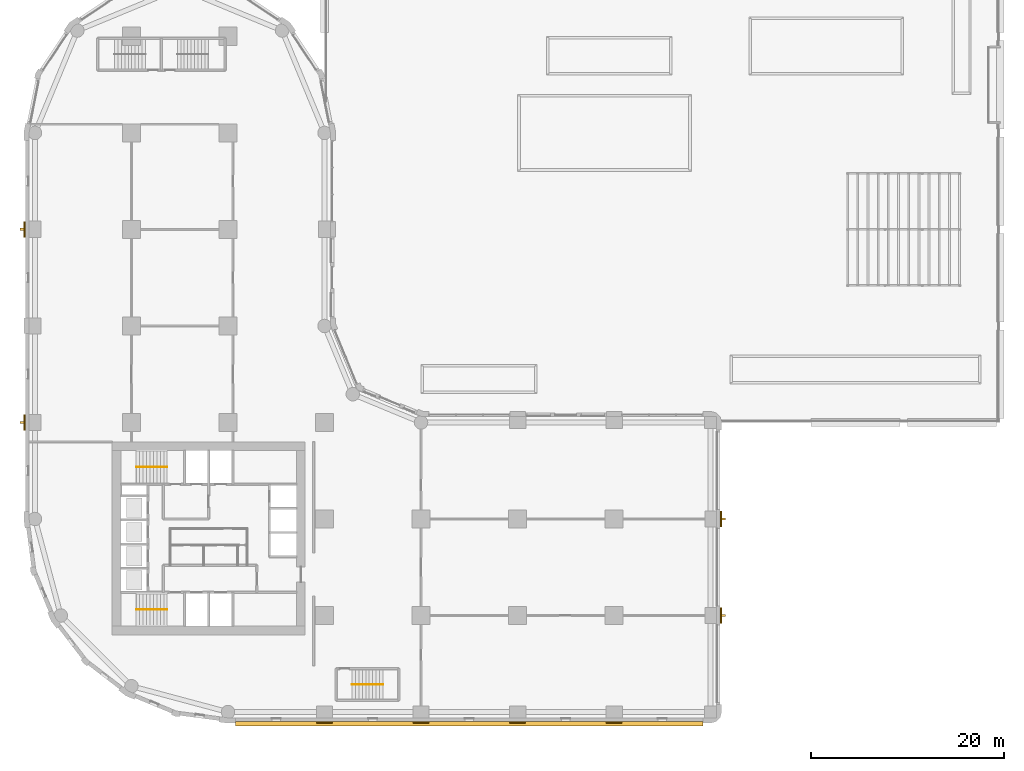
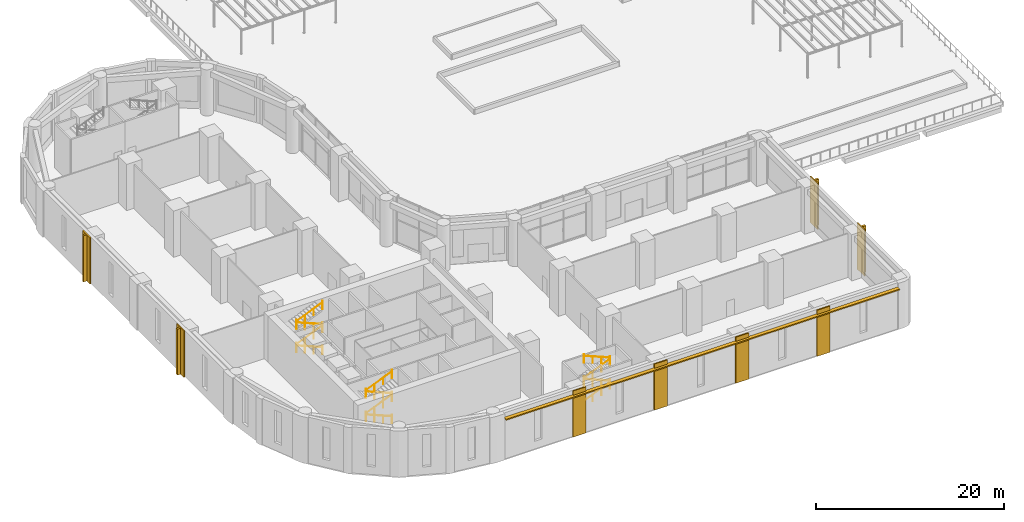
# One storey, part 26 of 28: 12 railings, 8 coverings, 5 shading devices.
"""IFC4 building model written with IfcOpenShell, lengths in metres."""

from ifc_helpers import new_model, si_unit, direction, frame, origin, origin_2d, place, context, subcontext, project, spatial, polyline, rectangle, circle, outline, extrude, material, layer, layer_set, type_object, element, save


model = new_model("IFC4")

# Units and contexts
model_context = context("Model", 3, precision=1e-05, world=origin(), true_north=direction((0.0, 1.0)))
body_context = subcontext(model_context, "Body", "Model", "MODEL_VIEW")
ifc_project = project(units=[si_unit("LENGTHUNIT", "METRE"), si_unit("AREAUNIT", "SQUARE_METRE"), si_unit("VOLUMEUNIT", "CUBIC_METRE"), si_unit("PLANEANGLEUNIT", "RADIAN"), si_unit("MASSUNIT", "GRAM", prefix="KILO")], contexts=[model_context])

# Site, building, storey
site_placement = place(None, origin())
site = spatial("IfcSite", under=ifc_project, at=site_placement, CompositionType="ELEMENT")
building_placement = place(site_placement, origin())
building = spatial("IfcBuilding", under=site, at=building_placement, Name="Qaws Garden Tower", CompositionType="ELEMENT")
storey_placement = place(building_placement, frame((0.0, 0.0, 6.0)))
storey = spatial("IfcBuildingStorey", under=building, at=storey_placement, Name="L01", CompositionType="ELEMENT", Elevation=6.0)

# Shading devices
ifc_material_1 = material(Name="Clay facing brick masonry", Category="masonry")
ifc_layer_1 = layer(ifc_material_1, 0.14990234375)
ifc_layer_set_1 = layer_set([ifc_layer_1], Name="Clay facing brick masonry")
shading_device_type_1 = type_object("IfcShadingDeviceType", Name="Brick sunshade band 450 x 150", PredefinedType="JALOUSIE", material=ifc_layer_set_1)
shading_device_placement = place(storey_placement, frame((0.0, 0.0, 5.300048828125)))
element("IfcShadingDevice", 1, at=shading_device_placement, inside=storey, type_object=shading_device_type_1, Name="SUNSHADE 00", PredefinedType="JALOUSIE", context=body_context, shape_type="SweptSolid", body=[
    extrude(outline(polyline([(20.800048828125, -1.0), (20.800048828125, -1.449951171875), (69.199951171875, -1.449951171875), (69.199951171875, -1.0), (60.800048828125, -1.0), (60.800048828125, -1.14990234375), (59.199951171875, -1.14990234375), (59.199951171875, -1.0), (50.800048828125, -1.0), (50.800048828125, -1.14990234375), (49.199951171875, -1.14990234375), (49.199951171875, -1.0), (40.800048828125, -1.0), (40.800048828125, -1.14990234375), (39.199951171875, -1.14990234375), (39.199951171875, -1.0), (30.800048828125, -1.0), (30.800048828125, -1.14990234375), (29.199951171875, -1.14990234375), (29.199951171875, -1.0), (20.800048828125, -1.0)])), origin(), (0.0, 0.0, 1.0), 0.14990234375),
])
ifc_material_2 = material(Name="Clay facing brick masonry", Category="masonry")
ifc_layer_2 = layer(ifc_material_2, 0.25)
ifc_layer_set_2 = layer_set([ifc_layer_2], Name="Clay facing brick masonry")
shading_device_type_2 = type_object("IfcShadingDeviceType", Name="Brick-faced fin 250 x 400", PredefinedType="USERDEFINED", material=ifc_layer_set_2)
for number, where, z_axis, x_axis, name in (
    (2, (71.35009765625, 10.0, 0.0), (0.0, 0.0, 1.0), (0.0, 1.0, 0.0), "FIN 06"),
    (3, (71.35009765625, 20.0, 0.0), (0.0, 0.0, 1.0), (0.0, 1.0, 0.0), "FIN 07"),
    (4, (-1.35009765625, 50.0, 0.0), (0.0, 0.0, 1.0), (0.0, -1.0, 0.0), "FIN 24"),
    (5, (-1.35009765625, 30.0, 0.0), (0.0, 0.0, 1.0), (0.0, -1.0, 0.0), "FIN 26"),
):
    element("IfcShadingDevice", number, at=place(storey_placement, frame(where, z_axis=z_axis, x_axis=x_axis)), inside=storey, type_object=shading_device_type_2, Name=name, ObjectType="FIN", PredefinedType="USERDEFINED", context=body_context, shape_type="SweptSolid", body=[
        extrude(rectangle(XDim=0.25, YDim=0.39990234375, at=origin_2d()), origin(), (0.0, 0.0, 1.0), 6.0),
    ])

# Railings
ifc_material_3 = material(Name="Steel S355", Category="steel")
railing_type = type_object("IfcRailingType", Name="Stair handrail 900", PredefinedType="HANDRAIL", material=ifc_material_3)
railing_1_placement = place(storey_placement, frame((13.699951171875, 10.60009765625, 0.14990234375)))
element("IfcRailing", 6, at=railing_1_placement, inside=storey, type_object=railing_type, Name="Stair 1 handrail", PredefinedType="HANDRAIL", context=body_context, shape_type="SweptSolid", body=[
    extrude(circle(Radius=0.02392578125, at=origin_2d()), frame((0.0, 0.0, 0.8759765625), z_axis=(-0.921521658771, 0.0, 0.388326965862), x_axis=(0.0, -1.0, 0.0)), (0.0, 0.0, 1.0), 3.476806640625),
    extrude(circle(Radius=0.02099609375, at=origin_2d()), origin(), (0.0, 0.0, 1.0), 1.050048828125),
    extrude(circle(Radius=0.02099609375, at=origin_2d()), frame((-1.06787109375, 0.0, 0.449951171875)), (0.0, 0.0, 1.0), 0.851806640625),
    extrude(circle(Radius=0.02099609375, at=origin_2d()), frame((-2.135986328125, 0.0, 0.900146484375)), (0.0, 0.0, 1.0), 0.851806640625),
    extrude(circle(Radius=0.02099609375, at=origin_2d()), frame((-3.203857421875, 0.0, 1.35009765625)), (0.0, 0.0, 1.0), 1.050048828125),
])
railing_2_placement = place(storey_placement, frame((10.49609375, 10.60009765625, 1.64990234375)))
element("IfcRailing", 7, at=railing_2_placement, inside=storey, type_object=railing_type, Name="Stair 1 handrail", PredefinedType="HANDRAIL", context=body_context, shape_type="SweptSolid", body=[
    extrude(circle(Radius=0.02392578125, at=origin_2d()), frame((0.0, 0.0, 0.8759765625), z_axis=(0.921521658771, 0.0, 0.388326965862), x_axis=(0.0, 1.0, 0.0)), (0.0, 0.0, 1.0), 3.476806640625),
    extrude(circle(Radius=0.02099609375, at=origin_2d()), origin(), (0.0, 0.0, 1.0), 1.050048828125),
    extrude(circle(Radius=0.02099609375, at=origin_2d()), frame((1.06787109375, 0.0, 0.449951171875)), (0.0, 0.0, 1.0), 0.851806640625),
    extrude(circle(Radius=0.02099609375, at=origin_2d()), frame((2.135986328125, 0.0, 0.900146484375)), (0.0, 0.0, 1.0), 0.851806640625),
    extrude(circle(Radius=0.02099609375, at=origin_2d()), frame((3.203857421875, 0.0, 1.35009765625)), (0.0, 0.0, 1.0), 1.050048828125),
])
railing_3_placement = place(storey_placement, frame((13.699951171875, 10.60009765625, 3.14990234375)))
element("IfcRailing", 8, at=railing_3_placement, inside=storey, type_object=railing_type, Name="Stair 1 handrail", PredefinedType="HANDRAIL", context=body_context, shape_type="SweptSolid", body=[
    extrude(circle(Radius=0.02392578125, at=origin_2d()), frame((0.0, 0.0, 0.8759765625), z_axis=(-0.921521658771, 0.0, 0.388326965862), x_axis=(0.0, -1.0, 0.0)), (0.0, 0.0, 1.0), 3.476806640625),
    extrude(circle(Radius=0.02099609375, at=origin_2d()), origin(), (0.0, 0.0, 1.0), 1.050048828125),
    extrude(circle(Radius=0.02099609375, at=origin_2d()), frame((-1.06787109375, 0.0, 0.449951171875)), (0.0, 0.0, 1.0), 0.851806640625),
    extrude(circle(Radius=0.02099609375, at=origin_2d()), frame((-2.135986328125, 0.0, 0.900146484375)), (0.0, 0.0, 1.0), 0.851806640625),
    extrude(circle(Radius=0.02099609375, at=origin_2d()), frame((-3.203857421875, 0.0, 1.35009765625)), (0.0, 0.0, 1.0), 1.050048828125),
])
railing_4_placement = place(storey_placement, frame((10.49609375, 10.60009765625, 4.64990234375)))
element("IfcRailing", 9, at=railing_4_placement, inside=storey, type_object=railing_type, Name="Stair 1 handrail", PredefinedType="HANDRAIL", context=body_context, shape_type="SweptSolid", body=[
    extrude(circle(Radius=0.02392578125, at=origin_2d()), frame((0.0, 0.0, 0.8759765625), z_axis=(0.921521658771, 0.0, 0.388326965862), x_axis=(0.0, 1.0, 0.0)), (0.0, 0.0, 1.0), 3.476806640625),
    extrude(circle(Radius=0.02099609375, at=origin_2d()), origin(), (0.0, 0.0, 1.0), 1.050048828125),
    extrude(circle(Radius=0.02099609375, at=origin_2d()), frame((1.06787109375, 0.0, 0.449951171875)), (0.0, 0.0, 1.0), 0.851806640625),
    extrude(circle(Radius=0.02099609375, at=origin_2d()), frame((2.135986328125, 0.0, 0.900146484375)), (0.0, 0.0, 1.0), 0.851806640625),
    extrude(circle(Radius=0.02099609375, at=origin_2d()), frame((3.203857421875, 0.0, 1.35009765625)), (0.0, 0.0, 1.0), 1.050048828125),
])
railing_5_placement = place(storey_placement, frame((13.699951171875, 25.39990234375, 0.14990234375)))
element("IfcRailing", 10, at=railing_5_placement, inside=storey, type_object=railing_type, Name="Stair 4 handrail", PredefinedType="HANDRAIL", context=body_context, shape_type="SweptSolid", body=[
    extrude(circle(Radius=0.02392578125, at=origin_2d()), frame((0.0, 0.0, 0.8759765625), z_axis=(-0.921521658771, 0.0, 0.388326965862), x_axis=(0.0, -1.0, 0.0)), (0.0, 0.0, 1.0), 3.476806640625),
    extrude(circle(Radius=0.02099609375, at=origin_2d()), origin(), (0.0, 0.0, 1.0), 1.050048828125),
    extrude(circle(Radius=0.02099609375, at=origin_2d()), frame((-1.06787109375, 0.0, 0.449951171875)), (0.0, 0.0, 1.0), 0.851806640625),
    extrude(circle(Radius=0.02099609375, at=origin_2d()), frame((-2.135986328125, 0.0, 0.900146484375)), (0.0, 0.0, 1.0), 0.851806640625),
    extrude(circle(Radius=0.02099609375, at=origin_2d()), frame((-3.203857421875, 0.0, 1.35009765625)), (0.0, 0.0, 1.0), 1.050048828125),
])
railing_6_placement = place(storey_placement, frame((10.49609375, 25.39990234375, 1.64990234375)))
element("IfcRailing", 11, at=railing_6_placement, inside=storey, type_object=railing_type, Name="Stair 4 handrail", PredefinedType="HANDRAIL", context=body_context, shape_type="SweptSolid", body=[
    extrude(circle(Radius=0.02392578125, at=origin_2d()), frame((0.0, 0.0, 0.8759765625), z_axis=(0.921521658771, 0.0, 0.388326965862), x_axis=(0.0, 1.0, 0.0)), (0.0, 0.0, 1.0), 3.476806640625),
    extrude(circle(Radius=0.02099609375, at=origin_2d()), origin(), (0.0, 0.0, 1.0), 1.050048828125),
    extrude(circle(Radius=0.02099609375, at=origin_2d()), frame((1.06787109375, 0.0, 0.449951171875)), (0.0, 0.0, 1.0), 0.851806640625),
    extrude(circle(Radius=0.02099609375, at=origin_2d()), frame((2.135986328125, 0.0, 0.900146484375)), (0.0, 0.0, 1.0), 0.851806640625),
    extrude(circle(Radius=0.02099609375, at=origin_2d()), frame((3.203857421875, 0.0, 1.35009765625)), (0.0, 0.0, 1.0), 1.050048828125),
])
railing_7_placement = place(storey_placement, frame((13.699951171875, 25.39990234375, 3.14990234375)))
element("IfcRailing", 12, at=railing_7_placement, inside=storey, type_object=railing_type, Name="Stair 4 handrail", PredefinedType="HANDRAIL", context=body_context, shape_type="SweptSolid", body=[
    extrude(circle(Radius=0.02392578125, at=origin_2d()), frame((0.0, 0.0, 0.8759765625), z_axis=(-0.921521658771, 0.0, 0.388326965862), x_axis=(0.0, -1.0, 0.0)), (0.0, 0.0, 1.0), 3.476806640625),
    extrude(circle(Radius=0.02099609375, at=origin_2d()), origin(), (0.0, 0.0, 1.0), 1.050048828125),
    extrude(circle(Radius=0.02099609375, at=origin_2d()), frame((-1.06787109375, 0.0, 0.449951171875)), (0.0, 0.0, 1.0), 0.851806640625),
    extrude(circle(Radius=0.02099609375, at=origin_2d()), frame((-2.135986328125, 0.0, 0.900146484375)), (0.0, 0.0, 1.0), 0.851806640625),
    extrude(circle(Radius=0.02099609375, at=origin_2d()), frame((-3.203857421875, 0.0, 1.35009765625)), (0.0, 0.0, 1.0), 1.050048828125),
])
for number, where, name in (
    (13, (10.49609375, 25.39990234375, 4.64990234375), "Stair 4 handrail"),
    (14, (32.85009765625, 2.85009765625, 0.14990234375), "Stair 5 handrail"),
):
    element("IfcRailing", number, at=place(storey_placement, frame(where)), inside=storey, type_object=railing_type, Name=name, PredefinedType="HANDRAIL", context=body_context, shape_type="SweptSolid", body=[
        extrude(circle(Radius=0.02392578125, at=origin_2d()), frame((0.0, 0.0, 0.8759765625), z_axis=(0.921521658771, 0.0, 0.388326965862), x_axis=(0.0, 1.0, 0.0)), (0.0, 0.0, 1.0), 3.476806640625),
        extrude(circle(Radius=0.02099609375, at=origin_2d()), origin(), (0.0, 0.0, 1.0), 1.050048828125),
        extrude(circle(Radius=0.02099609375, at=origin_2d()), frame((1.06787109375, 0.0, 0.449951171875)), (0.0, 0.0, 1.0), 0.851806640625),
        extrude(circle(Radius=0.02099609375, at=origin_2d()), frame((2.135986328125, 0.0, 0.900146484375)), (0.0, 0.0, 1.0), 0.851806640625),
        extrude(circle(Radius=0.02099609375, at=origin_2d()), frame((3.203857421875, 0.0, 1.35009765625)), (0.0, 0.0, 1.0), 1.050048828125),
    ])
railing_8_placement = place(storey_placement, frame((36.053955078125, 2.85009765625, 1.64990234375)))
element("IfcRailing", 15, at=railing_8_placement, inside=storey, type_object=railing_type, Name="Stair 5 handrail", PredefinedType="HANDRAIL", context=body_context, shape_type="SweptSolid", body=[
    extrude(circle(Radius=0.02392578125, at=origin_2d()), frame((0.0, 0.0, 0.8759765625), z_axis=(-0.921521658771, 0.0, 0.388326965862), x_axis=(0.0, -1.0, 0.0)), (0.0, 0.0, 1.0), 3.476806640625),
    extrude(circle(Radius=0.02099609375, at=origin_2d()), origin(), (0.0, 0.0, 1.0), 1.050048828125),
    extrude(circle(Radius=0.02099609375, at=origin_2d()), frame((-1.06787109375, 0.0, 0.449951171875)), (0.0, 0.0, 1.0), 0.851806640625),
    extrude(circle(Radius=0.02099609375, at=origin_2d()), frame((-2.135986328125, 0.0, 0.900146484375)), (0.0, 0.0, 1.0), 0.851806640625),
    extrude(circle(Radius=0.02099609375, at=origin_2d()), frame((-3.203857421875, 0.0, 1.35009765625)), (0.0, 0.0, 1.0), 1.050048828125),
])
railing_9_placement = place(storey_placement, frame((32.85009765625, 2.85009765625, 3.14990234375)))
element("IfcRailing", 16, at=railing_9_placement, inside=storey, type_object=railing_type, Name="Stair 5 handrail", PredefinedType="HANDRAIL", context=body_context, shape_type="SweptSolid", body=[
    extrude(circle(Radius=0.02392578125, at=origin_2d()), frame((0.0, 0.0, 0.8759765625), z_axis=(0.921521658771, 0.0, 0.388326965862), x_axis=(0.0, 1.0, 0.0)), (0.0, 0.0, 1.0), 3.476806640625),
    extrude(circle(Radius=0.02099609375, at=origin_2d()), origin(), (0.0, 0.0, 1.0), 1.050048828125),
    extrude(circle(Radius=0.02099609375, at=origin_2d()), frame((1.06787109375, 0.0, 0.449951171875)), (0.0, 0.0, 1.0), 0.851806640625),
    extrude(circle(Radius=0.02099609375, at=origin_2d()), frame((2.135986328125, 0.0, 0.900146484375)), (0.0, 0.0, 1.0), 0.851806640625),
    extrude(circle(Radius=0.02099609375, at=origin_2d()), frame((3.203857421875, 0.0, 1.35009765625)), (0.0, 0.0, 1.0), 1.050048828125),
])
railing_10_placement = place(storey_placement, frame((36.053955078125, 2.85009765625, 4.64990234375)))
element("IfcRailing", 17, at=railing_10_placement, inside=storey, type_object=railing_type, Name="Stair 5 handrail", PredefinedType="HANDRAIL", context=body_context, shape_type="SweptSolid", body=[
    extrude(circle(Radius=0.02392578125, at=origin_2d()), frame((0.0, 0.0, 0.8759765625), z_axis=(-0.921521658771, 0.0, 0.388326965862), x_axis=(0.0, -1.0, 0.0)), (0.0, 0.0, 1.0), 3.476806640625),
    extrude(circle(Radius=0.02099609375, at=origin_2d()), origin(), (0.0, 0.0, 1.0), 1.050048828125),
    extrude(circle(Radius=0.02099609375, at=origin_2d()), frame((-1.06787109375, 0.0, 0.449951171875)), (0.0, 0.0, 1.0), 0.851806640625),
    extrude(circle(Radius=0.02099609375, at=origin_2d()), frame((-2.135986328125, 0.0, 0.900146484375)), (0.0, 0.0, 1.0), 0.851806640625),
    extrude(circle(Radius=0.02099609375, at=origin_2d()), frame((-3.203857421875, 0.0, 1.35009765625)), (0.0, 0.0, 1.0), 1.050048828125),
])

# Coverings
ifc_material_4 = material(Name="Limestone ashlar masonry", Category="masonry")
ifc_layer_3 = layer(ifc_material_4, 0.14990234375)
ifc_layer_set_3 = layer_set([ifc_layer_3], Name="Limestone ashlar masonry")
covering_type = type_object("IfcCoveringType", Name="Stone pilaster facing 150 x 1600", PredefinedType="CLADDING", material=ifc_layer_set_3)
placement = place(storey_placement, origin())
element("IfcCovering", 18, at=placement, inside=storey, type_object=covering_type, Name="E-L01-pier-01", PredefinedType="CLADDING", context=body_context, shape_type="SweptSolid", body=[
    extrude(outline(polyline([(29.199951171875, -1.0), (30.800048828125, -1.0), (30.800048828125, -1.14990234375), (29.199951171875, -1.14990234375), (29.199951171875, -1.0)])), origin(), (0.0, 0.0, 1.0), 6.0),
])
element("IfcCovering", 19, at=placement, inside=storey, type_object=covering_type, Name="E-L01-pier-02", PredefinedType="CLADDING", context=body_context, shape_type="SweptSolid", body=[
    extrude(outline(polyline([(39.199951171875, -1.0), (40.800048828125, -1.0), (40.800048828125, -1.14990234375), (39.199951171875, -1.14990234375), (39.199951171875, -1.0)])), origin(), (0.0, 0.0, 1.0), 6.0),
])
element("IfcCovering", 20, at=placement, inside=storey, type_object=covering_type, Name="E-L01-pier-03", PredefinedType="CLADDING", context=body_context, shape_type="SweptSolid", body=[
    extrude(outline(polyline([(49.199951171875, -1.0), (50.800048828125, -1.0), (50.800048828125, -1.14990234375), (49.199951171875, -1.14990234375), (49.199951171875, -1.0)])), origin(), (0.0, 0.0, 1.0), 6.0),
])
element("IfcCovering", 21, at=placement, inside=storey, type_object=covering_type, Name="E-L01-pier-04", PredefinedType="CLADDING", context=body_context, shape_type="SweptSolid", body=[
    extrude(outline(polyline([(59.199951171875, -1.0), (60.800048828125, -1.0), (60.800048828125, -1.14990234375), (59.199951171875, -1.14990234375), (59.199951171875, -1.0)])), origin(), (0.0, 0.0, 1.0), 6.0),
])
element("IfcCovering", 22, at=placement, inside=storey, type_object=covering_type, Name="E-L01-pier-06", PredefinedType="CLADDING", context=body_context, shape_type="SweptSolid", body=[
    extrude(outline(polyline([(71.0, 9.199951171875), (71.0, 10.800048828125), (71.14990234375, 10.800048828125), (71.14990234375, 9.199951171875), (71.0, 9.199951171875)])), origin(), (0.0, 0.0, 1.0), 6.0),
])
element("IfcCovering", 23, at=placement, inside=storey, type_object=covering_type, Name="E-L01-pier-07", PredefinedType="CLADDING", context=body_context, shape_type="SweptSolid", body=[
    extrude(outline(polyline([(71.0, 19.199951171875), (71.0, 20.800048828125), (71.14990234375, 20.800048828125), (71.14990234375, 19.199951171875), (71.0, 19.199951171875)])), origin(), (0.0, 0.0, 1.0), 6.0),
])
element("IfcCovering", 24, at=placement, inside=storey, type_object=covering_type, Name="E-L01-pier-24", PredefinedType="CLADDING", context=body_context, shape_type="SweptSolid", body=[
    extrude(outline(polyline([(-1.0, 50.800048828125), (-1.0, 49.199951171875), (-1.14990234375, 49.199951171875), (-1.14990234375, 50.800048828125), (-1.0, 50.800048828125)])), origin(), (0.0, 0.0, 1.0), 6.0),
])
element("IfcCovering", 25, at=placement, inside=storey, type_object=covering_type, Name="E-L01-pier-26", PredefinedType="CLADDING", context=body_context, shape_type="SweptSolid", body=[
    extrude(outline(polyline([(-1.0, 30.800048828125), (-1.0, 29.199951171875), (-1.14990234375, 29.199951171875), (-1.14990234375, 30.800048828125), (-1.0, 30.800048828125)])), origin(), (0.0, 0.0, 1.0), 6.0),
])

save(model, "model.ifc")
